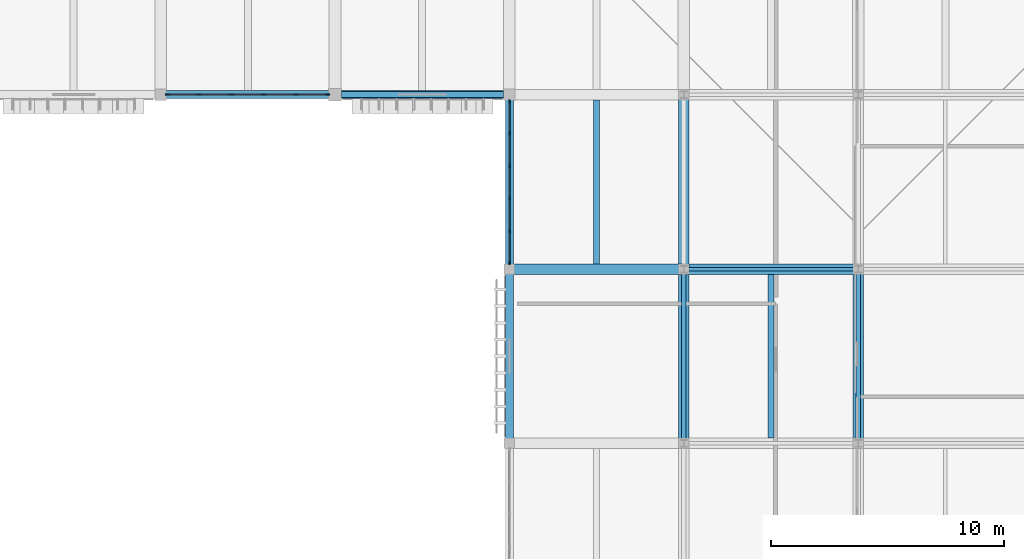
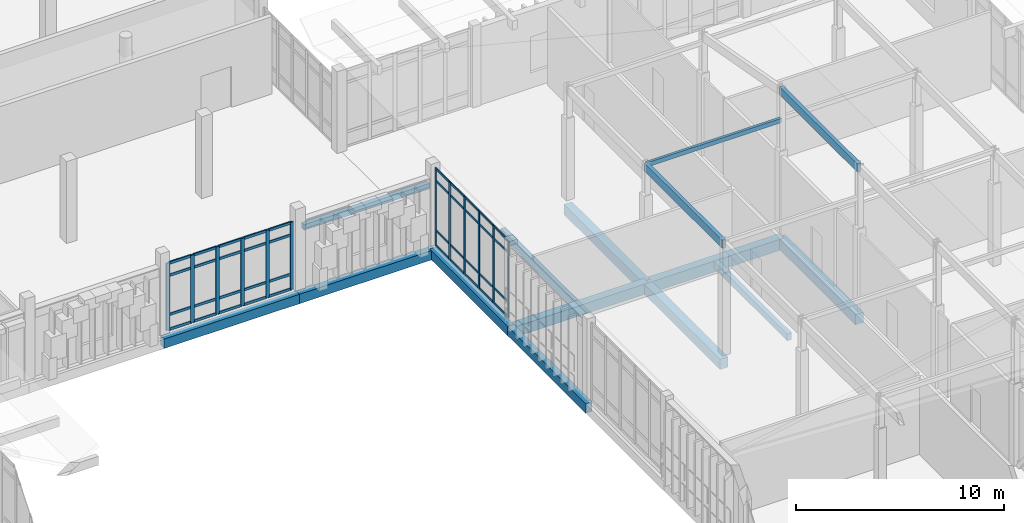
# One storey, part 69 of 131: 53 members, 14 beams, 2 elements without a shape of their own.
"""IFC4 building model written with IfcOpenShell, lengths in metres."""

from ifc_helpers import new_model, si_unit, direction, frame, origin, origin_2d, place, context, subcontext, project, spatial, rectangle, hollow_rectangle, extrude, material, layer, layer_set, material_profile, profile_set, type_object, element, aggregate, save


model = new_model("IFC4")

# Units and contexts
model_context = context("Model", 3, precision=1e-05, world=origin(), true_north=direction((0.0, 1.0)))
body_context = subcontext(model_context, "Body", "Model", "MODEL_VIEW")
ifc_project = project(units=[si_unit("LENGTHUNIT", "METRE"), si_unit("AREAUNIT", "SQUARE_METRE"), si_unit("VOLUMEUNIT", "CUBIC_METRE"), si_unit("PLANEANGLEUNIT", "RADIAN"), si_unit("MASSUNIT", "GRAM", prefix="KILO")], contexts=[model_context])

# Site, building, storey
site_placement = place(None, origin())
site = spatial("IfcSite", under=ifc_project, at=site_placement, CompositionType="ELEMENT")
building_placement = place(site_placement, origin())
building = spatial("IfcBuilding", under=site, at=building_placement, Name="Dalvernix Boulevard General Hospital", CompositionType="ELEMENT")
storey_placement = place(building_placement, frame((0.0, 0.0, 9.300048828125)))
storey = spatial("IfcBuildingStorey", under=building, at=storey_placement, Name="L02", CompositionType="ELEMENT", Elevation=9.300048828125)

# Beams
ifc_material_1 = material(Name="Concrete C35/45", Category="concrete")
ifc_material_profile_1 = material_profile(ifc_material_1, rectangle(XDim=0.449951171875, YDim=0.64990234375, at=origin_2d()), Name="RCB 450x650")
ifc_profile_set_1 = profile_set([ifc_material_profile_1], Name="Concrete C35/45")
beam_type_1 = type_object("IfcBeamType", Name="BM-B-03-I", PredefinedType="BEAM", material=ifc_profile_set_1)
beam_1_placement = place(storey_placement, frame((150.0, 69.0, -0.64501953125), z_axis=(1.0, 0.0, 0.0), x_axis=(0.0, 1.0, 0.0)))
element("IfcBeam", 1, at=beam_1_placement, inside=storey, type_object=beam_type_1, Name="L02 E-W girder K:21-22", PredefinedType="BEAM", context=body_context, shape_type="SweptSolid", body=[
    extrude(rectangle(XDim=0.449951171875, YDim=0.64990234375, at=origin_2d()), origin(), (0.0, 0.0, 1.0), 7.5),
])
ifc_material_profile_2 = material_profile(ifc_material_1, rectangle(XDim=0.449951171875, YDim=0.60009765625, at=origin_2d()), Name="RCB 450x600")
ifc_profile_set_2 = profile_set([ifc_material_profile_2], Name="Concrete C35/45")
beam_type_2 = type_object("IfcBeamType", Name="BM-B-04-I", PredefinedType="BEAM", material=ifc_profile_set_2)
for number, where, z_axis, x_axis, name in (
    (2, (142.5, 69.0, -0.6201171875), (1.0, 0.0, 0.0), (0.0, 1.0, 0.0), "L02 E-W girder K:20-21"),
    (3, (150.0, 61.5, -0.6201171875), (0.0, 1.0, 0.0), (-1.0, 0.0, 0.0), "L02 N-S girder 21:J-K"),
    (4, (150.0, 69.0, -0.6201171875), (0.0, 1.0, 0.0), (-1.0, 0.0, 0.0), "L02 N-S girder 21:K-L"),
    (5, (157.5, 61.5, -0.6201171875), (0.0, 1.0, 0.0), (-1.0, 0.0, 0.0), "L02 N-S girder 22:J-K"),
):
    element("IfcBeam", number, at=place(storey_placement, frame(where, z_axis=z_axis, x_axis=x_axis)), inside=storey, type_object=beam_type_2, Name=name, PredefinedType="BEAM", context=body_context, shape_type="SweptSolid", body=[
        extrude(rectangle(XDim=0.449951171875, YDim=0.60009765625, at=origin_2d()), origin(), (0.0, 0.0, 1.0), 7.5),
    ])
ifc_material_2 = material(Name="Glulam GL28h", Category="wood")
ifc_material_profile_3 = material_profile(ifc_material_2, rectangle(XDim=0.199951171875, YDim=0.47998046875, at=origin_2d()), Name="GL28h 200x480")
ifc_profile_set_3 = profile_set([ifc_material_profile_3], Name="Glulam GL28h")
beam_type_3 = type_object("IfcBeamType", Name="BM-GB-T3", PredefinedType="JOIST", material=ifc_profile_set_3)
for number, where, z_axis, x_axis, name in (
    (6, (150.0, 61.5, 6.371826171875), (0.0, 1.0, 0.0), (-1.0, 0.0, 0.0), "V2 pitched glulam rafter 21:J-K"),
    (7, (157.5, 61.5, 8.2138671875), (0.0, 1.0, 0.0), (-1.0, 0.0, 0.0), "V2 pitched glulam rafter 22:J-K"),
):
    element("IfcBeam", number, at=place(storey_placement, frame(where, z_axis=z_axis, x_axis=x_axis)), inside=storey, type_object=beam_type_3, Name=name, PredefinedType="JOIST", context=body_context, shape_type="SweptSolid", body=[
        extrude(rectangle(XDim=0.199951171875, YDim=0.47998046875, at=origin_2d()), origin(), (0.0, 0.0, 1.0), 7.5),
    ])
ifc_material_profile_4 = material_profile(ifc_material_1, rectangle(XDim=0.25, YDim=0.39990234375, at=origin_2d()), Name="RCB 250x400")
ifc_profile_set_4 = profile_set([ifc_material_profile_4], Name="Concrete C35/45")
beam_type_4 = type_object("IfcBeamType", Name="BM-JB-02", PredefinedType="JOIST", material=ifc_profile_set_4)
for number, where, z_axis, x_axis, name in (
    (8, (146.25, 69.22509765625, -0.52001953125), (0.0, 1.0, 0.0), (-1.0, 0.0, 0.0), "L02 secondary floor beam 20-K"),
    (9, (153.75, 61.72509765625, -0.52001953125), (0.0, 1.0, 0.0), (-1.0, 0.0, 0.0), "L02 secondary floor beam 21-J"),
):
    element("IfcBeam", number, at=place(storey_placement, frame(where, z_axis=z_axis, x_axis=x_axis)), inside=storey, type_object=beam_type_4, Name=name, PredefinedType="JOIST", context=body_context, shape_type="SweptSolid", body=[
        extrude(rectangle(XDim=0.25, YDim=0.39990234375, at=origin_2d()), origin(), (0.0, 0.0, 1.0), 7.0498046875),
    ])
ifc_material_3 = material(Name="Precast concrete C40/50", Category="concrete")
ifc_material_profile_5 = material_profile(ifc_material_3, rectangle(XDim=0.25, YDim=0.320068359375, at=origin_2d()), Name="RCL 250x320")
ifc_profile_set_5 = profile_set([ifc_material_profile_5], Name="Precast concrete C40/50")
beam_type_5 = type_object("IfcBeamType", Name="BM-LB-01", PredefinedType="LINTEL", material=ifc_profile_set_5)
beam_2_placement = place(storey_placement, frame((142.239990234375, 76.5, 3.4599609375), z_axis=(-1.0, 0.0, 0.0), x_axis=(0.0, -1.0, 0.0)))
element("IfcBeam", 10, at=beam_2_placement, inside=storey, type_object=beam_type_5, Name="L02 precast window lintel S 18-10", PredefinedType="LINTEL", context=body_context, shape_type="SweptSolid", body=[
    extrude(rectangle(XDim=0.25, YDim=0.320068359375, at=origin_2d()), origin(), (0.0, 0.0, 1.0), 6.955078125),
])
ifc_material_profile_6 = material_profile(ifc_material_1, rectangle(XDim=0.35009765625, YDim=0.550048828125, at=origin_2d()), Name="RCB 350x550")
ifc_profile_set_6 = profile_set([ifc_material_profile_6], Name="Concrete C35/45")
beam_type_6 = type_object("IfcBeamType", Name="BM-SB-01-E", PredefinedType="SPANDREL", material=ifc_profile_set_6)
for number, where, z_axis, x_axis, name in (
    (11, (127.5, 76.5, -0.594970703125), (1.0, 0.0, 0.0), (0.0, 1.0, 0.0), "L02 E-W girder L:18-19"),
    (12, (135.0, 76.5, -0.594970703125), (1.0, 0.0, 0.0), (0.0, 1.0, 0.0), "L02 E-W girder L:19-20"),
    (13, (142.5, 61.5, -0.594970703125), (0.0, 1.0, 0.0), (-1.0, 0.0, 0.0), "L02 N-S girder 20:J-K"),
    (14, (142.5, 69.0, -0.594970703125), (0.0, 1.0, 0.0), (-1.0, 0.0, 0.0), "L02 N-S girder 20:K-L"),
):
    element("IfcBeam", number, at=place(storey_placement, frame(where, z_axis=z_axis, x_axis=x_axis)), inside=storey, type_object=beam_type_6, Name=name, PredefinedType="SPANDREL", context=body_context, shape_type="SweptSolid", body=[
        extrude(rectangle(XDim=0.35009765625, YDim=0.550048828125, at=origin_2d()), origin(), (0.0, 0.0, 1.0), 7.5),
    ])

# Curtain wall, members
ifc_material_4 = material(Name="Thermally broken aluminium and solar-control glass curtain wall", Category="aluminium")
ifc_layer_1 = layer(ifc_material_4, 0.159912109375)
ifc_layer_set_1 = layer_set([ifc_layer_1], Name="Thermally broken aluminium and solar-control glass curtain wall (CW-CW-A-70x46)")
curtain_wall_type_1 = type_object("IfcCurtainWallType", Name="CW-CW-A-70x46", PredefinedType="USERDEFINED", material=ifc_layer_set_1)
curtain_wall_1_placement = place(storey_placement, origin())
curtain_wall_1 = element("IfcCurtainWall", 15, at=curtain_wall_1_placement, inside=storey, type_object=curtain_wall_type_1, Name="L02 curtain wall CW-A-70x46 19-9", ObjectType="GLAZED FACADE", PredefinedType="USERDEFINED")
ifc_material_5 = material(Name="Aluminium EN AW-6060", Category="aluminium")
ifc_material_profile_7 = material_profile(ifc_material_5, rectangle(XDim=0.06005859375, YDim=0.159912109375, at=origin_2d()), Name="ALU MULL 60x160")
ifc_profile_set_7 = profile_set([ifc_material_profile_7], Name="Aluminium EN AW-6060")
member_type_1 = type_object("IfcMemberType", Name="MEM-CW-M1", PredefinedType="MULLION", material=ifc_profile_set_7)
member_1_placement = place(storey_placement, frame((142.5, 69.264892578125, 0.0), z_axis=(0.0, 0.0, 1.0), x_axis=(-1.0, 0.0, 0.0)))
member_1 = element("IfcMember", 16, at=member_1_placement, type_object=member_type_1, Name="CW-A-70x46 mullion 1", PredefinedType="MULLION", context=body_context, shape_type="SweptSolid", body=[
    extrude(rectangle(XDim=0.06005859375, YDim=0.159912109375, at=origin_2d()), origin(), (0.0, 0.0, 1.0), 4.550048828125),
])
member_2_placement = place(storey_placement, frame((142.5, 70.635986328125, 0.0), z_axis=(0.0, 0.0, 1.0), x_axis=(-1.0, 0.0, 0.0)))
member_2 = element("IfcMember", 17, at=member_2_placement, type_object=member_type_1, Name="CW-A-70x46 mullion 2", PredefinedType="MULLION", context=body_context, shape_type="SweptSolid", body=[
    extrude(rectangle(XDim=0.06005859375, YDim=0.159912109375, at=origin_2d()), origin(), (0.0, 0.0, 1.0), 4.550048828125),
])
member_3_placement = place(storey_placement, frame((142.5, 72.037109375, 0.0), z_axis=(0.0, 0.0, 1.0), x_axis=(-1.0, 0.0, 0.0)))
member_3 = element("IfcMember", 18, at=member_3_placement, type_object=member_type_1, Name="CW-A-70x46 mullion 3", PredefinedType="MULLION", context=body_context, shape_type="SweptSolid", body=[
    extrude(rectangle(XDim=0.06005859375, YDim=0.159912109375, at=origin_2d()), origin(), (0.0, 0.0, 1.0), 4.550048828125),
])
member_4_placement = place(storey_placement, frame((142.5, 73.43798828125, 0.0), z_axis=(0.0, 0.0, 1.0), x_axis=(-1.0, 0.0, 0.0)))
member_4 = element("IfcMember", 19, at=member_4_placement, type_object=member_type_1, Name="CW-A-70x46 mullion 4", PredefinedType="MULLION", context=body_context, shape_type="SweptSolid", body=[
    extrude(rectangle(XDim=0.06005859375, YDim=0.159912109375, at=origin_2d()), origin(), (0.0, 0.0, 1.0), 4.550048828125),
])
member_5_placement = place(storey_placement, frame((142.5, 74.839111328125, 0.0), z_axis=(0.0, 0.0, 1.0), x_axis=(-1.0, 0.0, 0.0)))
member_5 = element("IfcMember", 20, at=member_5_placement, type_object=member_type_1, Name="CW-A-70x46 mullion 5", PredefinedType="MULLION", context=body_context, shape_type="SweptSolid", body=[
    extrude(rectangle(XDim=0.06005859375, YDim=0.159912109375, at=origin_2d()), origin(), (0.0, 0.0, 1.0), 4.550048828125),
])
member_6_placement = place(storey_placement, frame((142.5, 76.2099609375, 0.0), z_axis=(0.0, 0.0, 1.0), x_axis=(-1.0, 0.0, 0.0)))
member_6 = element("IfcMember", 21, at=member_6_placement, type_object=member_type_1, Name="CW-A-70x46 mullion 6", PredefinedType="MULLION", context=body_context, shape_type="SweptSolid", body=[
    extrude(rectangle(XDim=0.06005859375, YDim=0.159912109375, at=origin_2d()), origin(), (0.0, 0.0, 1.0), 4.550048828125),
])

ifc_layer_2 = layer(ifc_material_4, 0.199951171875)
ifc_layer_set_2 = layer_set([ifc_layer_2], Name="Thermally broken aluminium and solar-control glass curtain wall (CW-CW-C-70x40)")
curtain_wall_type_2 = type_object("IfcCurtainWallType", Name="CW-CW-C-70x40", PredefinedType="USERDEFINED", material=ifc_layer_set_2)
curtain_wall_2_placement = place(storey_placement, origin())
curtain_wall_2 = element("IfcCurtainWall", 22, at=curtain_wall_2_placement, inside=storey, type_object=curtain_wall_type_2, Name="L02 curtain wall CW-C-70x40 17-10", ObjectType="GLAZED FACADE", PredefinedType="USERDEFINED")
ifc_material_profile_8 = material_profile(ifc_material_5, rectangle(XDim=0.070068359375, YDim=0.199951171875, at=origin_2d()), Name="ALU MULL 70x200")
ifc_profile_set_8 = profile_set([ifc_material_profile_8], Name="Aluminium EN AW-6060")
member_type_2 = type_object("IfcMemberType", Name="MEM-CW-M3", PredefinedType="MULLION", material=ifc_profile_set_8)
member_7_placement = place(storey_placement, frame((134.679931640625, 76.5, 0.0), z_axis=(0.0, 0.0, 1.0), x_axis=(0.0, -1.0, 0.0)))
member_7 = element("IfcMember", 23, at=member_7_placement, type_object=member_type_2, Name="CW-C-70x40 mullion 1", PredefinedType="MULLION", context=body_context, shape_type="SweptSolid", body=[
    extrude(rectangle(XDim=0.070068359375, YDim=0.199951171875, at=origin_2d()), origin(), (0.0, 0.0, 1.0), 3.949951171875),
])
member_8_placement = place(storey_placement, frame((133.323974609375, 76.5, 0.0), z_axis=(0.0, 0.0, 1.0), x_axis=(0.0, -1.0, 0.0)))
member_8 = element("IfcMember", 24, at=member_8_placement, type_object=member_type_2, Name="CW-C-70x40 mullion 2", PredefinedType="MULLION", context=body_context, shape_type="SweptSolid", body=[
    extrude(rectangle(XDim=0.070068359375, YDim=0.199951171875, at=origin_2d()), origin(), (0.0, 0.0, 1.0), 3.949951171875),
])
member_9_placement = place(storey_placement, frame((131.93310546875, 76.5, 0.0), z_axis=(0.0, 0.0, 1.0), x_axis=(0.0, -1.0, 0.0)))
member_9 = element("IfcMember", 25, at=member_9_placement, type_object=member_type_2, Name="CW-C-70x40 mullion 3", PredefinedType="MULLION", context=body_context, shape_type="SweptSolid", body=[
    extrude(rectangle(XDim=0.070068359375, YDim=0.199951171875, at=origin_2d()), origin(), (0.0, 0.0, 1.0), 3.949951171875),
])
member_10_placement = place(storey_placement, frame((130.5419921875, 76.5, 0.0), z_axis=(0.0, 0.0, 1.0), x_axis=(0.0, -1.0, 0.0)))
member_10 = element("IfcMember", 26, at=member_10_placement, type_object=member_type_2, Name="CW-C-70x40 mullion 4", PredefinedType="MULLION", context=body_context, shape_type="SweptSolid", body=[
    extrude(rectangle(XDim=0.070068359375, YDim=0.199951171875, at=origin_2d()), origin(), (0.0, 0.0, 1.0), 3.949951171875),
])
member_11_placement = place(storey_placement, frame((129.15087890625, 76.5, 0.0), z_axis=(0.0, 0.0, 1.0), x_axis=(0.0, -1.0, 0.0)))
member_11 = element("IfcMember", 27, at=member_11_placement, type_object=member_type_2, Name="CW-C-70x40 mullion 5", PredefinedType="MULLION", context=body_context, shape_type="SweptSolid", body=[
    extrude(rectangle(XDim=0.070068359375, YDim=0.199951171875, at=origin_2d()), origin(), (0.0, 0.0, 1.0), 3.949951171875),
])
member_12_placement = place(storey_placement, frame((127.794921875, 76.5, 0.0), z_axis=(0.0, 0.0, 1.0), x_axis=(0.0, -1.0, 0.0)))
member_12 = element("IfcMember", 28, at=member_12_placement, type_object=member_type_2, Name="CW-C-70x40 mullion 6", PredefinedType="MULLION", context=body_context, shape_type="SweptSolid", body=[
    extrude(rectangle(XDim=0.070068359375, YDim=0.199951171875, at=origin_2d()), origin(), (0.0, 0.0, 1.0), 3.949951171875),
])

# Member
ifc_material_profile_9 = material_profile(ifc_material_5, rectangle(XDim=0.06005859375, YDim=0.1201171875, at=origin_2d()), Name="ALU TRAN 60x120")
ifc_profile_set_9 = profile_set([ifc_material_profile_9], Name="Aluminium EN AW-6060")
member_type_3 = type_object("IfcMemberType", Name="MEM-CW-T1", PredefinedType="USERDEFINED", material=ifc_profile_set_9)
member_13_placement = place(storey_placement, frame((142.5, 69.294921875, 0.030029296875), z_axis=(0.0, 1.0, 0.0), x_axis=(-1.0, 0.0, 0.0)))
member_13 = element("IfcMember", 29, at=member_13_placement, type_object=member_type_3, Name="CW-A-70x46 transom 1.1", ObjectType="TRANSOM", PredefinedType="USERDEFINED", context=body_context, shape_type="SweptSolid", body=[
    extrude(rectangle(XDim=0.06005859375, YDim=0.1201171875, at=origin_2d()), origin(), (0.0, 0.0, 1.0), 1.31103515625),
])

member_14_placement = place(storey_placement, frame((142.5, 69.294921875, 0.89990234375), z_axis=(0.0, 1.0, 0.0), x_axis=(-1.0, 0.0, 0.0)))
member_14 = element("IfcMember", 30, at=member_14_placement, type_object=member_type_3, Name="CW-A-70x46 transom 1.2", ObjectType="TRANSOM", PredefinedType="USERDEFINED", context=body_context, shape_type="SweptSolid", body=[
    extrude(rectangle(XDim=0.06005859375, YDim=0.1201171875, at=origin_2d()), origin(), (0.0, 0.0, 1.0), 1.31103515625),
])

member_15_placement = place(storey_placement, frame((142.5, 69.294921875, 3.800048828125), z_axis=(0.0, 1.0, 0.0), x_axis=(-1.0, 0.0, 0.0)))
member_15 = element("IfcMember", 31, at=member_15_placement, type_object=member_type_3, Name="CW-A-70x46 transom 1.3", ObjectType="TRANSOM", PredefinedType="USERDEFINED", context=body_context, shape_type="SweptSolid", body=[
    extrude(rectangle(XDim=0.06005859375, YDim=0.1201171875, at=origin_2d()), origin(), (0.0, 0.0, 1.0), 1.31103515625),
])

member_16_placement = place(storey_placement, frame((142.5, 69.294921875, 4.52001953125), z_axis=(0.0, 1.0, 0.0), x_axis=(-1.0, 0.0, 0.0)))
member_16 = element("IfcMember", 32, at=member_16_placement, type_object=member_type_3, Name="CW-A-70x46 transom 1.4", ObjectType="TRANSOM", PredefinedType="USERDEFINED", context=body_context, shape_type="SweptSolid", body=[
    extrude(rectangle(XDim=0.06005859375, YDim=0.1201171875, at=origin_2d()), origin(), (0.0, 0.0, 1.0), 1.31103515625),
])

member_17_placement = place(storey_placement, frame((142.5, 70.666015625, 0.030029296875), z_axis=(0.0, 1.0, 0.0), x_axis=(-1.0, 0.0, 0.0)))
member_17 = element("IfcMember", 33, at=member_17_placement, type_object=member_type_3, Name="CW-A-70x46 transom 2.1", ObjectType="TRANSOM", PredefinedType="USERDEFINED", context=body_context, shape_type="SweptSolid", body=[
    extrude(rectangle(XDim=0.06005859375, YDim=0.1201171875, at=origin_2d()), origin(), (0.0, 0.0, 1.0), 1.341064453125),
])

member_18_placement = place(storey_placement, frame((142.5, 70.666015625, 0.89990234375), z_axis=(0.0, 1.0, 0.0), x_axis=(-1.0, 0.0, 0.0)))
member_18 = element("IfcMember", 34, at=member_18_placement, type_object=member_type_3, Name="CW-A-70x46 transom 2.2", ObjectType="TRANSOM", PredefinedType="USERDEFINED", context=body_context, shape_type="SweptSolid", body=[
    extrude(rectangle(XDim=0.06005859375, YDim=0.1201171875, at=origin_2d()), origin(), (0.0, 0.0, 1.0), 1.341064453125),
])

member_19_placement = place(storey_placement, frame((142.5, 70.666015625, 3.800048828125), z_axis=(0.0, 1.0, 0.0), x_axis=(-1.0, 0.0, 0.0)))
member_19 = element("IfcMember", 35, at=member_19_placement, type_object=member_type_3, Name="CW-A-70x46 transom 2.3", ObjectType="TRANSOM", PredefinedType="USERDEFINED", context=body_context, shape_type="SweptSolid", body=[
    extrude(rectangle(XDim=0.06005859375, YDim=0.1201171875, at=origin_2d()), origin(), (0.0, 0.0, 1.0), 1.341064453125),
])

member_20_placement = place(storey_placement, frame((142.5, 70.666015625, 4.52001953125), z_axis=(0.0, 1.0, 0.0), x_axis=(-1.0, 0.0, 0.0)))
member_20 = element("IfcMember", 36, at=member_20_placement, type_object=member_type_3, Name="CW-A-70x46 transom 2.4", ObjectType="TRANSOM", PredefinedType="USERDEFINED", context=body_context, shape_type="SweptSolid", body=[
    extrude(rectangle(XDim=0.06005859375, YDim=0.1201171875, at=origin_2d()), origin(), (0.0, 0.0, 1.0), 1.341064453125),
])

member_21_placement = place(storey_placement, frame((142.5, 72.06689453125, 0.030029296875), z_axis=(0.0, 1.0, 0.0), x_axis=(-1.0, 0.0, 0.0)))
member_21 = element("IfcMember", 37, at=member_21_placement, type_object=member_type_3, Name="CW-A-70x46 transom 3.1", ObjectType="TRANSOM", PredefinedType="USERDEFINED", context=body_context, shape_type="SweptSolid", body=[
    extrude(rectangle(XDim=0.06005859375, YDim=0.1201171875, at=origin_2d()), origin(), (0.0, 0.0, 1.0), 1.341064453125),
])

member_22_placement = place(storey_placement, frame((142.5, 72.06689453125, 0.89990234375), z_axis=(0.0, 1.0, 0.0), x_axis=(-1.0, 0.0, 0.0)))
member_22 = element("IfcMember", 38, at=member_22_placement, type_object=member_type_3, Name="CW-A-70x46 transom 3.2", ObjectType="TRANSOM", PredefinedType="USERDEFINED", context=body_context, shape_type="SweptSolid", body=[
    extrude(rectangle(XDim=0.06005859375, YDim=0.1201171875, at=origin_2d()), origin(), (0.0, 0.0, 1.0), 1.341064453125),
])

member_23_placement = place(storey_placement, frame((142.5, 72.06689453125, 3.800048828125), z_axis=(0.0, 1.0, 0.0), x_axis=(-1.0, 0.0, 0.0)))
member_23 = element("IfcMember", 39, at=member_23_placement, type_object=member_type_3, Name="CW-A-70x46 transom 3.3", ObjectType="TRANSOM", PredefinedType="USERDEFINED", context=body_context, shape_type="SweptSolid", body=[
    extrude(rectangle(XDim=0.06005859375, YDim=0.1201171875, at=origin_2d()), origin(), (0.0, 0.0, 1.0), 1.341064453125),
])

member_24_placement = place(storey_placement, frame((142.5, 72.06689453125, 4.52001953125), z_axis=(0.0, 1.0, 0.0), x_axis=(-1.0, 0.0, 0.0)))
member_24 = element("IfcMember", 40, at=member_24_placement, type_object=member_type_3, Name="CW-A-70x46 transom 3.4", ObjectType="TRANSOM", PredefinedType="USERDEFINED", context=body_context, shape_type="SweptSolid", body=[
    extrude(rectangle(XDim=0.06005859375, YDim=0.1201171875, at=origin_2d()), origin(), (0.0, 0.0, 1.0), 1.341064453125),
])

member_25_placement = place(storey_placement, frame((142.5, 73.468017578125, 0.030029296875), z_axis=(0.0, 1.0, 0.0), x_axis=(-1.0, 0.0, 0.0)))
member_25 = element("IfcMember", 41, at=member_25_placement, type_object=member_type_3, Name="CW-A-70x46 transom 4.1", ObjectType="TRANSOM", PredefinedType="USERDEFINED", context=body_context, shape_type="SweptSolid", body=[
    extrude(rectangle(XDim=0.06005859375, YDim=0.1201171875, at=origin_2d()), origin(), (0.0, 0.0, 1.0), 1.341064453125),
])

member_26_placement = place(storey_placement, frame((142.5, 73.468017578125, 0.89990234375), z_axis=(0.0, 1.0, 0.0), x_axis=(-1.0, 0.0, 0.0)))
member_26 = element("IfcMember", 42, at=member_26_placement, type_object=member_type_3, Name="CW-A-70x46 transom 4.2", ObjectType="TRANSOM", PredefinedType="USERDEFINED", context=body_context, shape_type="SweptSolid", body=[
    extrude(rectangle(XDim=0.06005859375, YDim=0.1201171875, at=origin_2d()), origin(), (0.0, 0.0, 1.0), 1.341064453125),
])

member_27_placement = place(storey_placement, frame((142.5, 73.468017578125, 3.800048828125), z_axis=(0.0, 1.0, 0.0), x_axis=(-1.0, 0.0, 0.0)))
member_27 = element("IfcMember", 43, at=member_27_placement, type_object=member_type_3, Name="CW-A-70x46 transom 4.3", ObjectType="TRANSOM", PredefinedType="USERDEFINED", context=body_context, shape_type="SweptSolid", body=[
    extrude(rectangle(XDim=0.06005859375, YDim=0.1201171875, at=origin_2d()), origin(), (0.0, 0.0, 1.0), 1.341064453125),
])

member_28_placement = place(storey_placement, frame((142.5, 73.468017578125, 4.52001953125), z_axis=(0.0, 1.0, 0.0), x_axis=(-1.0, 0.0, 0.0)))
member_28 = element("IfcMember", 44, at=member_28_placement, type_object=member_type_3, Name="CW-A-70x46 transom 4.4", ObjectType="TRANSOM", PredefinedType="USERDEFINED", context=body_context, shape_type="SweptSolid", body=[
    extrude(rectangle(XDim=0.06005859375, YDim=0.1201171875, at=origin_2d()), origin(), (0.0, 0.0, 1.0), 1.341064453125),
])

member_29_placement = place(storey_placement, frame((142.5, 74.868896484375, 0.030029296875), z_axis=(0.0, 1.0, 0.0), x_axis=(-1.0, 0.0, 0.0)))
member_29 = element("IfcMember", 45, at=member_29_placement, type_object=member_type_3, Name="CW-A-70x46 transom 5.1", ObjectType="TRANSOM", PredefinedType="USERDEFINED", context=body_context, shape_type="SweptSolid", body=[
    extrude(rectangle(XDim=0.06005859375, YDim=0.1201171875, at=origin_2d()), origin(), (0.0, 0.0, 1.0), 1.31103515625),
])

member_30_placement = place(storey_placement, frame((142.5, 74.868896484375, 0.89990234375), z_axis=(0.0, 1.0, 0.0), x_axis=(-1.0, 0.0, 0.0)))
member_30 = element("IfcMember", 46, at=member_30_placement, type_object=member_type_3, Name="CW-A-70x46 transom 5.2", ObjectType="TRANSOM", PredefinedType="USERDEFINED", context=body_context, shape_type="SweptSolid", body=[
    extrude(rectangle(XDim=0.06005859375, YDim=0.1201171875, at=origin_2d()), origin(), (0.0, 0.0, 1.0), 1.31103515625),
])

member_31_placement = place(storey_placement, frame((142.5, 74.868896484375, 3.800048828125), z_axis=(0.0, 1.0, 0.0), x_axis=(-1.0, 0.0, 0.0)))
member_31 = element("IfcMember", 47, at=member_31_placement, type_object=member_type_3, Name="CW-A-70x46 transom 5.3", ObjectType="TRANSOM", PredefinedType="USERDEFINED", context=body_context, shape_type="SweptSolid", body=[
    extrude(rectangle(XDim=0.06005859375, YDim=0.1201171875, at=origin_2d()), origin(), (0.0, 0.0, 1.0), 1.31103515625),
])

member_32_placement = place(storey_placement, frame((142.5, 74.868896484375, 4.52001953125), z_axis=(0.0, 1.0, 0.0), x_axis=(-1.0, 0.0, 0.0)))
member_32 = element("IfcMember", 48, at=member_32_placement, type_object=member_type_3, Name="CW-A-70x46 transom 5.4", ObjectType="TRANSOM", PredefinedType="USERDEFINED", context=body_context, shape_type="SweptSolid", body=[
    extrude(rectangle(XDim=0.06005859375, YDim=0.1201171875, at=origin_2d()), origin(), (0.0, 0.0, 1.0), 1.31103515625),
])

aggregate(curtain_wall_1, [member_1, member_2, member_3, member_4, member_5, member_6, member_13, member_14, member_15, member_16, member_17, member_18, member_19, member_20, member_21, member_22, member_23, member_24, member_25, member_26, member_27, member_28, member_29, member_30, member_31, member_32])

ifc_material_profile_10 = material_profile(ifc_material_5, rectangle(XDim=0.070068359375, YDim=0.14990234375, at=origin_2d()), Name="ALU TRAN 70x150")
ifc_profile_set_10 = profile_set([ifc_material_profile_10], Name="Aluminium EN AW-6060")
member_type_4 = type_object("IfcMemberType", Name="MEM-CW-T3", PredefinedType="USERDEFINED", material=ifc_profile_set_10)
member_33_placement = place(storey_placement, frame((134.64501953125, 76.5, 0.034912109375), z_axis=(-1.0, 0.0, 0.0), x_axis=(0.0, -1.0, 0.0)))
member_33 = element("IfcMember", 49, at=member_33_placement, type_object=member_type_4, Name="CW-C-70x40 transom 1.1", ObjectType="TRANSOM", PredefinedType="USERDEFINED", context=body_context, shape_type="SweptSolid", body=[
    extrude(rectangle(XDim=0.070068359375, YDim=0.14990234375, at=origin_2d()), origin(), (0.0, 0.0, 1.0), 1.2861328125),
])

member_34_placement = place(storey_placement, frame((134.64501953125, 76.5, 0.89990234375), z_axis=(-1.0, 0.0, 0.0), x_axis=(0.0, -1.0, 0.0)))
member_34 = element("IfcMember", 50, at=member_34_placement, type_object=member_type_4, Name="CW-C-70x40 transom 1.2", ObjectType="TRANSOM", PredefinedType="USERDEFINED", context=body_context, shape_type="SweptSolid", body=[
    extrude(rectangle(XDim=0.070068359375, YDim=0.14990234375, at=origin_2d()), origin(), (0.0, 0.0, 1.0), 1.2861328125),
])

member_35_placement = place(storey_placement, frame((134.64501953125, 76.5, 3.199951171875), z_axis=(-1.0, 0.0, 0.0), x_axis=(0.0, -1.0, 0.0)))
member_35 = element("IfcMember", 51, at=member_35_placement, type_object=member_type_4, Name="CW-C-70x40 transom 1.3", ObjectType="TRANSOM", PredefinedType="USERDEFINED", context=body_context, shape_type="SweptSolid", body=[
    extrude(rectangle(XDim=0.070068359375, YDim=0.14990234375, at=origin_2d()), origin(), (0.0, 0.0, 1.0), 1.2861328125),
])

member_36_placement = place(storey_placement, frame((134.64501953125, 76.5, 3.9150390625), z_axis=(-1.0, 0.0, 0.0), x_axis=(0.0, -1.0, 0.0)))
member_36 = element("IfcMember", 52, at=member_36_placement, type_object=member_type_4, Name="CW-C-70x40 transom 1.4", ObjectType="TRANSOM", PredefinedType="USERDEFINED", context=body_context, shape_type="SweptSolid", body=[
    extrude(rectangle(XDim=0.070068359375, YDim=0.14990234375, at=origin_2d()), origin(), (0.0, 0.0, 1.0), 1.2861328125),
])

member_37_placement = place(storey_placement, frame((133.2890625, 76.5, 0.034912109375), z_axis=(-1.0, 0.0, 0.0), x_axis=(0.0, -1.0, 0.0)))
member_37 = element("IfcMember", 53, at=member_37_placement, type_object=member_type_4, Name="CW-C-70x40 transom 2.1", ObjectType="TRANSOM", PredefinedType="USERDEFINED", context=body_context, shape_type="SweptSolid", body=[
    extrude(rectangle(XDim=0.070068359375, YDim=0.14990234375, at=origin_2d()), origin(), (0.0, 0.0, 1.0), 1.321044921875),
])

member_38_placement = place(storey_placement, frame((133.2890625, 76.5, 0.89990234375), z_axis=(-1.0, 0.0, 0.0), x_axis=(0.0, -1.0, 0.0)))
member_38 = element("IfcMember", 54, at=member_38_placement, type_object=member_type_4, Name="CW-C-70x40 transom 2.2", ObjectType="TRANSOM", PredefinedType="USERDEFINED", context=body_context, shape_type="SweptSolid", body=[
    extrude(rectangle(XDim=0.070068359375, YDim=0.14990234375, at=origin_2d()), origin(), (0.0, 0.0, 1.0), 1.321044921875),
])

member_39_placement = place(storey_placement, frame((133.2890625, 76.5, 3.199951171875), z_axis=(-1.0, 0.0, 0.0), x_axis=(0.0, -1.0, 0.0)))
member_39 = element("IfcMember", 55, at=member_39_placement, type_object=member_type_4, Name="CW-C-70x40 transom 2.3", ObjectType="TRANSOM", PredefinedType="USERDEFINED", context=body_context, shape_type="SweptSolid", body=[
    extrude(rectangle(XDim=0.070068359375, YDim=0.14990234375, at=origin_2d()), origin(), (0.0, 0.0, 1.0), 1.321044921875),
])

member_40_placement = place(storey_placement, frame((133.2890625, 76.5, 3.9150390625), z_axis=(-1.0, 0.0, 0.0), x_axis=(0.0, -1.0, 0.0)))
member_40 = element("IfcMember", 56, at=member_40_placement, type_object=member_type_4, Name="CW-C-70x40 transom 2.4", ObjectType="TRANSOM", PredefinedType="USERDEFINED", context=body_context, shape_type="SweptSolid", body=[
    extrude(rectangle(XDim=0.070068359375, YDim=0.14990234375, at=origin_2d()), origin(), (0.0, 0.0, 1.0), 1.321044921875),
])

member_41_placement = place(storey_placement, frame((131.89794921875, 76.5, 0.034912109375), z_axis=(-1.0, 0.0, 0.0), x_axis=(0.0, -1.0, 0.0)))
member_41 = element("IfcMember", 57, at=member_41_placement, type_object=member_type_4, Name="CW-C-70x40 transom 3.1", ObjectType="TRANSOM", PredefinedType="USERDEFINED", context=body_context, shape_type="SweptSolid", body=[
    extrude(rectangle(XDim=0.070068359375, YDim=0.14990234375, at=origin_2d()), origin(), (0.0, 0.0, 1.0), 1.321044921875),
])

member_42_placement = place(storey_placement, frame((131.89794921875, 76.5, 0.89990234375), z_axis=(-1.0, 0.0, 0.0), x_axis=(0.0, -1.0, 0.0)))
member_42 = element("IfcMember", 58, at=member_42_placement, type_object=member_type_4, Name="CW-C-70x40 transom 3.2", ObjectType="TRANSOM", PredefinedType="USERDEFINED", context=body_context, shape_type="SweptSolid", body=[
    extrude(rectangle(XDim=0.070068359375, YDim=0.14990234375, at=origin_2d()), origin(), (0.0, 0.0, 1.0), 1.321044921875),
])

member_43_placement = place(storey_placement, frame((131.89794921875, 76.5, 3.199951171875), z_axis=(-1.0, 0.0, 0.0), x_axis=(0.0, -1.0, 0.0)))
member_43 = element("IfcMember", 59, at=member_43_placement, type_object=member_type_4, Name="CW-C-70x40 transom 3.3", ObjectType="TRANSOM", PredefinedType="USERDEFINED", context=body_context, shape_type="SweptSolid", body=[
    extrude(rectangle(XDim=0.070068359375, YDim=0.14990234375, at=origin_2d()), origin(), (0.0, 0.0, 1.0), 1.321044921875),
])

member_44_placement = place(storey_placement, frame((131.89794921875, 76.5, 3.9150390625), z_axis=(-1.0, 0.0, 0.0), x_axis=(0.0, -1.0, 0.0)))
member_44 = element("IfcMember", 60, at=member_44_placement, type_object=member_type_4, Name="CW-C-70x40 transom 3.4", ObjectType="TRANSOM", PredefinedType="USERDEFINED", context=body_context, shape_type="SweptSolid", body=[
    extrude(rectangle(XDim=0.070068359375, YDim=0.14990234375, at=origin_2d()), origin(), (0.0, 0.0, 1.0), 1.321044921875),
])

member_45_placement = place(storey_placement, frame((130.507080078125, 76.5, 0.034912109375), z_axis=(-1.0, 0.0, 0.0), x_axis=(0.0, -1.0, 0.0)))
member_45 = element("IfcMember", 61, at=member_45_placement, type_object=member_type_4, Name="CW-C-70x40 transom 4.1", ObjectType="TRANSOM", PredefinedType="USERDEFINED", context=body_context, shape_type="SweptSolid", body=[
    extrude(rectangle(XDim=0.070068359375, YDim=0.14990234375, at=origin_2d()), origin(), (0.0, 0.0, 1.0), 1.321044921875),
])

member_46_placement = place(storey_placement, frame((130.507080078125, 76.5, 0.89990234375), z_axis=(-1.0, 0.0, 0.0), x_axis=(0.0, -1.0, 0.0)))
member_46 = element("IfcMember", 62, at=member_46_placement, type_object=member_type_4, Name="CW-C-70x40 transom 4.2", ObjectType="TRANSOM", PredefinedType="USERDEFINED", context=body_context, shape_type="SweptSolid", body=[
    extrude(rectangle(XDim=0.070068359375, YDim=0.14990234375, at=origin_2d()), origin(), (0.0, 0.0, 1.0), 1.321044921875),
])

member_47_placement = place(storey_placement, frame((130.507080078125, 76.5, 3.199951171875), z_axis=(-1.0, 0.0, 0.0), x_axis=(0.0, -1.0, 0.0)))
member_47 = element("IfcMember", 63, at=member_47_placement, type_object=member_type_4, Name="CW-C-70x40 transom 4.3", ObjectType="TRANSOM", PredefinedType="USERDEFINED", context=body_context, shape_type="SweptSolid", body=[
    extrude(rectangle(XDim=0.070068359375, YDim=0.14990234375, at=origin_2d()), origin(), (0.0, 0.0, 1.0), 1.321044921875),
])

member_48_placement = place(storey_placement, frame((130.507080078125, 76.5, 3.9150390625), z_axis=(-1.0, 0.0, 0.0), x_axis=(0.0, -1.0, 0.0)))
member_48 = element("IfcMember", 64, at=member_48_placement, type_object=member_type_4, Name="CW-C-70x40 transom 4.4", ObjectType="TRANSOM", PredefinedType="USERDEFINED", context=body_context, shape_type="SweptSolid", body=[
    extrude(rectangle(XDim=0.070068359375, YDim=0.14990234375, at=origin_2d()), origin(), (0.0, 0.0, 1.0), 1.321044921875),
])

member_49_placement = place(storey_placement, frame((129.115966796875, 76.5, 0.034912109375), z_axis=(-1.0, 0.0, 0.0), x_axis=(0.0, -1.0, 0.0)))
member_49 = element("IfcMember", 65, at=member_49_placement, type_object=member_type_4, Name="CW-C-70x40 transom 5.1", ObjectType="TRANSOM", PredefinedType="USERDEFINED", context=body_context, shape_type="SweptSolid", body=[
    extrude(rectangle(XDim=0.070068359375, YDim=0.14990234375, at=origin_2d()), origin(), (0.0, 0.0, 1.0), 1.285888671875),
])

member_50_placement = place(storey_placement, frame((129.115966796875, 76.5, 0.89990234375), z_axis=(-1.0, 0.0, 0.0), x_axis=(0.0, -1.0, 0.0)))
member_50 = element("IfcMember", 66, at=member_50_placement, type_object=member_type_4, Name="CW-C-70x40 transom 5.2", ObjectType="TRANSOM", PredefinedType="USERDEFINED", context=body_context, shape_type="SweptSolid", body=[
    extrude(rectangle(XDim=0.070068359375, YDim=0.14990234375, at=origin_2d()), origin(), (0.0, 0.0, 1.0), 1.285888671875),
])

member_51_placement = place(storey_placement, frame((129.115966796875, 76.5, 3.199951171875), z_axis=(-1.0, 0.0, 0.0), x_axis=(0.0, -1.0, 0.0)))
member_51 = element("IfcMember", 67, at=member_51_placement, type_object=member_type_4, Name="CW-C-70x40 transom 5.3", ObjectType="TRANSOM", PredefinedType="USERDEFINED", context=body_context, shape_type="SweptSolid", body=[
    extrude(rectangle(XDim=0.070068359375, YDim=0.14990234375, at=origin_2d()), origin(), (0.0, 0.0, 1.0), 1.285888671875),
])

member_52_placement = place(storey_placement, frame((129.115966796875, 76.5, 3.9150390625), z_axis=(-1.0, 0.0, 0.0), x_axis=(0.0, -1.0, 0.0)))
member_52 = element("IfcMember", 68, at=member_52_placement, type_object=member_type_4, Name="CW-C-70x40 transom 5.4", ObjectType="TRANSOM", PredefinedType="USERDEFINED", context=body_context, shape_type="SweptSolid", body=[
    extrude(rectangle(XDim=0.070068359375, YDim=0.14990234375, at=origin_2d()), origin(), (0.0, 0.0, 1.0), 1.285888671875),
])

aggregate(curtain_wall_2, [member_7, member_8, member_9, member_10, member_11, member_12, member_33, member_34, member_35, member_36, member_37, member_38, member_39, member_40, member_41, member_42, member_43, member_44, member_45, member_46, member_47, member_48, member_49, member_50, member_51, member_52])

ifc_material_6 = material(Name="Steel S355", Category="steel")
ifc_material_profile_11 = material_profile(ifc_material_6, hollow_rectangle(XDim=0.14990234375, YDim=0.25, WallThickness=0.010009765625, at=origin_2d()), Name="RHS 250x150x10.0")
ifc_profile_set_11 = profile_set([ifc_material_profile_11], Name="Steel S355")
member_type_5 = type_object("IfcMemberType", Name="MEM-PR-04", PredefinedType="PURLIN", material=ifc_profile_set_11)
member_53_placement = place(storey_placement, frame((150.0, 69.0, 6.496826171875), z_axis=(1.0, 0.0, 0.0), x_axis=(0.0, 1.0, 0.0)))
element("IfcMember", 69, at=member_53_placement, inside=storey, type_object=member_type_5, Name="V2 attic purlin 21-22:K", PredefinedType="PURLIN", context=body_context, shape_type="SweptSolid", body=[
    extrude(hollow_rectangle(XDim=0.14990234375, YDim=0.25, WallThickness=0.010009765625, at=origin_2d()), origin(), (0.0, 0.0, 1.0), 7.5),
])

save(model, "model.ifc")
